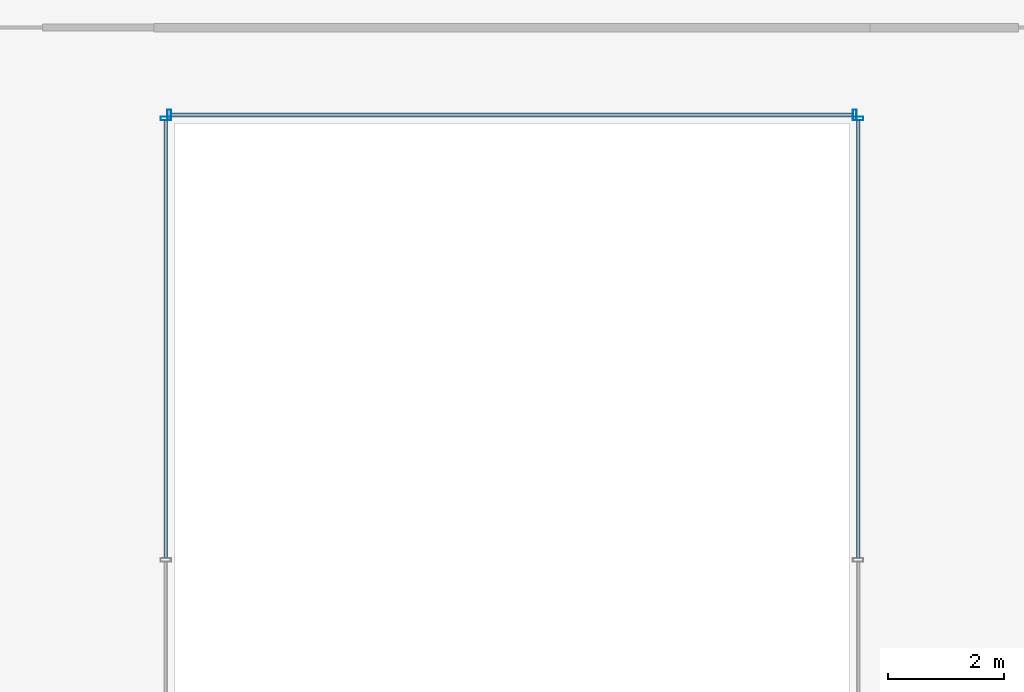
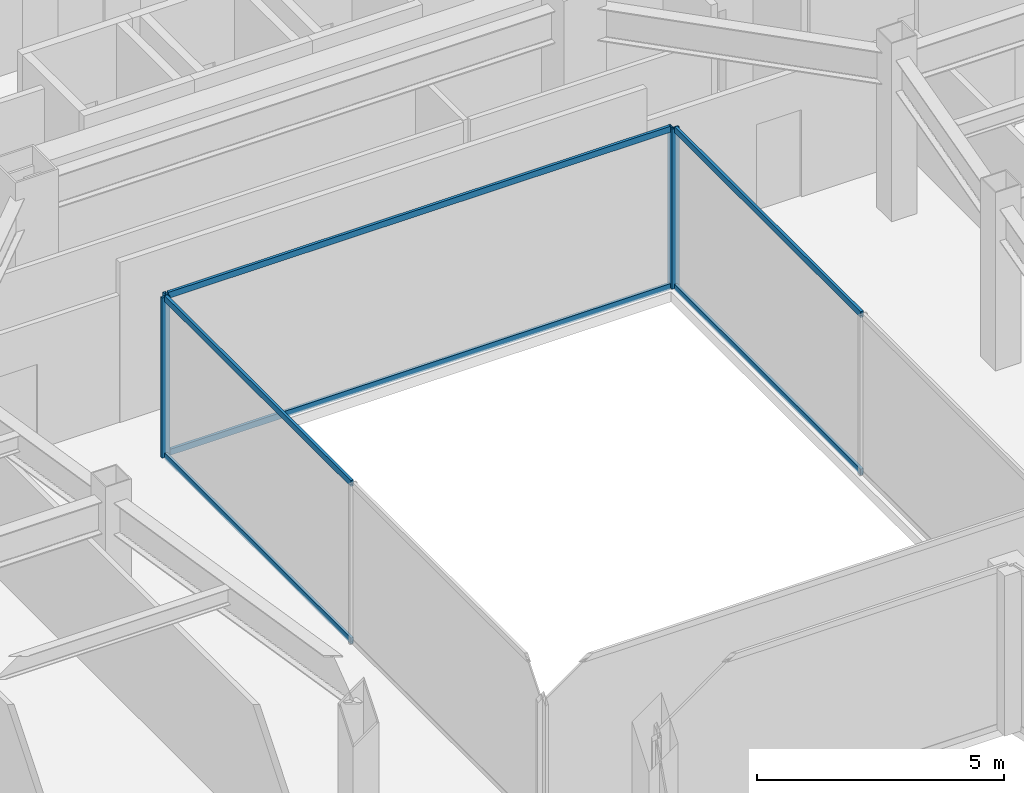
# One storey, part 12 of 36: 10 members, 3 elements without a shape of their own.
"""IFC4 building model written with IfcOpenShell, lengths in metres."""

from ifc_helpers import new_model, si_unit, direction, frame, origin, origin_2d, place, context, subcontext, project, spatial, hollow_rectangle, extrude, material, material_profile, profile_set, type_object, element, aggregate, save


model = new_model("IFC4")

# Units and contexts
model_context = context("Model", 3, precision=1e-05, world=origin(), true_north=direction((0.0, 1.0)))
body_context = subcontext(model_context, "Body", "Model", "MODEL_VIEW")
ifc_project = project(units=[si_unit("LENGTHUNIT", "METRE"), si_unit("AREAUNIT", "SQUARE_METRE"), si_unit("VOLUMEUNIT", "CUBIC_METRE"), si_unit("PLANEANGLEUNIT", "RADIAN"), si_unit("MASSUNIT", "GRAM", prefix="KILO")], contexts=[model_context])

# Site, building, storey
site_placement = place(None, origin())
site = spatial("IfcSite", under=ifc_project, at=site_placement, CompositionType="ELEMENT")
building_placement = place(site_placement, origin())
building = spatial("IfcBuilding", under=site, at=building_placement, Name="Saevonmaru Cultural Tower", CompositionType="ELEMENT")
storey_placement = place(building_placement, frame((0.0, 0.0, 119.199951171875)))
storey = spatial("IfcBuildingStorey", under=building, at=storey_placement, Name="L25", CompositionType="ELEMENT", Elevation=119.199951171875)

# Curtain wall, member
ifc_material = material(Name="Satin Bronze Anodised Aluminium", Category="aluminium")
curtain_wall_type = type_object("IfcCurtainWallType", Name="CW-ATR-GLZ", PredefinedType="NOTDEFINED", material=ifc_material)
curtain_wall_1_placement = place(storey_placement, origin())
curtain_wall_1 = element("IfcCurtainWall", 1, at=curtain_wall_1_placement, inside=storey, type_object=curtain_wall_type, Name="L25 Vertical Atrium Glazed Smoke Screen 2", PredefinedType="NOTDEFINED")
ifc_material_profile_1 = material_profile(ifc_material, hollow_rectangle(XDim=0.06494140625, YDim=0.179931640625, WallThickness=0.00390625, at=origin_2d()), Name="ALU-MULL-180x65x4")
ifc_profile_set_1 = profile_set([ifc_material_profile_1], Name="Satin Bronze Anodised Aluminium")
member_type_1 = type_object("IfcMemberType", Name="ML-CW-INT-180x65", PredefinedType="MULLION", material=ifc_profile_set_1)
member_1_placement = place(storey_placement, frame((35.949951171875, 37.489990234375, 0.0), z_axis=(0.0, 0.0, 1.0), x_axis=(0.0, 1.0, 0.0)))
member_1 = element("IfcMember", 2, at=member_1_placement, type_object=member_type_1, Name="CW-ATR-L25-2 mullion 3", PredefinedType="MULLION", context=body_context, shape_type="SweptSolid", body=[
    extrude(hollow_rectangle(XDim=0.06494140625, YDim=0.179931640625, WallThickness=0.00390625, at=origin_2d()), origin(), (0.0, 0.0, 1.0), 3.949951171875),
])

# Curtain wall, members
curtain_wall_2_placement = place(storey_placement, origin())
curtain_wall_2 = element("IfcCurtainWall", 3, at=curtain_wall_2_placement, inside=storey, type_object=curtain_wall_type, Name="L25 Vertical Atrium Glazed Smoke Screen 3", PredefinedType="NOTDEFINED")
member_2_placement = place(storey_placement, frame((35.889892578125, 37.550048828125, 0.0), z_axis=(0.0, 0.0, 1.0), x_axis=(-1.0, 0.0, 0.0)))
member_2 = element("IfcMember", 4, at=member_2_placement, type_object=member_type_1, Name="CW-ATR-L25-3 mullion 1", PredefinedType="MULLION", context=body_context, shape_type="SweptSolid", body=[
    extrude(hollow_rectangle(XDim=0.06494140625, YDim=0.179931640625, WallThickness=0.00390625, at=origin_2d()), origin(), (0.0, 0.0, 1.0), 3.949951171875),
])
member_3_placement = place(storey_placement, frame((24.110107421875, 37.550048828125, 0.0), z_axis=(0.0, 0.0, 1.0), x_axis=(-1.0, 0.0, 0.0)))
member_3 = element("IfcMember", 5, at=member_3_placement, type_object=member_type_1, Name="CW-ATR-L25-3 mullion 2", PredefinedType="MULLION", context=body_context, shape_type="SweptSolid", body=[
    extrude(hollow_rectangle(XDim=0.06494140625, YDim=0.179931640625, WallThickness=0.00390625, at=origin_2d()), origin(), (0.0, 0.0, 1.0), 3.949951171875),
])

# Curtain wall, member
curtain_wall_3_placement = place(storey_placement, origin())
curtain_wall_3 = element("IfcCurtainWall", 6, at=curtain_wall_3_placement, inside=storey, type_object=curtain_wall_type, Name="L25 Vertical Atrium Glazed Smoke Screen 4", PredefinedType="NOTDEFINED")
member_4_placement = place(storey_placement, frame((24.050048828125, 37.489990234375, 0.0), z_axis=(0.0, 0.0, 1.0), x_axis=(0.0, -1.0, 0.0)))
member_4 = element("IfcMember", 7, at=member_4_placement, type_object=member_type_1, Name="CW-ATR-L25-4 mullion 1", PredefinedType="MULLION", context=body_context, shape_type="SweptSolid", body=[
    extrude(hollow_rectangle(XDim=0.06494140625, YDim=0.179931640625, WallThickness=0.00390625, at=origin_2d()), origin(), (0.0, 0.0, 1.0), 3.949951171875),
])

# Member
ifc_material_profile_2 = material_profile(ifc_material, hollow_rectangle(XDim=0.06494140625, YDim=0.14990234375, WallThickness=0.00390625, at=origin_2d()), Name="ALU-TRAN-150x65x4")
ifc_profile_set_2 = profile_set([ifc_material_profile_2], Name="Satin Bronze Anodised Aluminium")
member_type_2 = type_object("IfcMemberType", Name="TR-CW-INT-150x65", PredefinedType="USERDEFINED", material=ifc_profile_set_2)
member_5_placement = place(storey_placement, frame((35.949951171875, 29.9326171875, 0.032470703125), z_axis=(0.0, 1.0, 0.0), x_axis=(-1.0, 0.0, 0.0)))
member_5 = element("IfcMember", 8, at=member_5_placement, type_object=member_type_2, Name="CW-ATR-L25-2 transom 2.1", ObjectType="TRANSOM", PredefinedType="USERDEFINED", context=body_context, shape_type="SweptSolid", body=[
    extrude(hollow_rectangle(XDim=0.06494140625, YDim=0.14990234375, WallThickness=0.00390625, at=origin_2d()), origin(), (0.0, 0.0, 1.0), 7.52490234375),
])

member_6_placement = place(storey_placement, frame((35.949951171875, 29.9326171875, 3.91748046875), z_axis=(0.0, 1.0, 0.0), x_axis=(-1.0, 0.0, 0.0)))
member_6 = element("IfcMember", 9, at=member_6_placement, type_object=member_type_2, Name="CW-ATR-L25-2 transom 2.2", ObjectType="TRANSOM", PredefinedType="USERDEFINED", context=body_context, shape_type="SweptSolid", body=[
    extrude(hollow_rectangle(XDim=0.06494140625, YDim=0.14990234375, WallThickness=0.00390625, at=origin_2d()), origin(), (0.0, 0.0, 1.0), 7.52490234375),
])

aggregate(curtain_wall_1, [member_1, member_5, member_6])

member_7_placement = place(storey_placement, frame((35.857421875, 37.550048828125, 0.032470703125), z_axis=(-1.0, 0.0, 0.0), x_axis=(0.0, -1.0, 0.0)))
member_7 = element("IfcMember", 10, at=member_7_placement, type_object=member_type_2, Name="CW-ATR-L25-3 transom 1.1", ObjectType="TRANSOM", PredefinedType="USERDEFINED", context=body_context, shape_type="SweptSolid", body=[
    extrude(hollow_rectangle(XDim=0.06494140625, YDim=0.14990234375, WallThickness=0.00390625, at=origin_2d()), origin(), (0.0, 0.0, 1.0), 11.71484375),
])

member_8_placement = place(storey_placement, frame((35.857421875, 37.550048828125, 3.91748046875), z_axis=(-1.0, 0.0, 0.0), x_axis=(0.0, -1.0, 0.0)))
member_8 = element("IfcMember", 11, at=member_8_placement, type_object=member_type_2, Name="CW-ATR-L25-3 transom 1.2", ObjectType="TRANSOM", PredefinedType="USERDEFINED", context=body_context, shape_type="SweptSolid", body=[
    extrude(hollow_rectangle(XDim=0.06494140625, YDim=0.14990234375, WallThickness=0.00390625, at=origin_2d()), origin(), (0.0, 0.0, 1.0), 11.71484375),
])

aggregate(curtain_wall_2, [member_2, member_3, member_7, member_8])

member_9_placement = place(storey_placement, frame((24.050048828125, 37.45751953125, 0.032470703125), z_axis=(0.0, -1.0, 0.0), x_axis=(1.0, 0.0, 0.0)))
member_9 = element("IfcMember", 12, at=member_9_placement, type_object=member_type_2, Name="CW-ATR-L25-4 transom 1.1", ObjectType="TRANSOM", PredefinedType="USERDEFINED", context=body_context, shape_type="SweptSolid", body=[
    extrude(hollow_rectangle(XDim=0.06494140625, YDim=0.14990234375, WallThickness=0.00390625, at=origin_2d()), origin(), (0.0, 0.0, 1.0), 7.52490234375),
])

member_10_placement = place(storey_placement, frame((24.050048828125, 37.45751953125, 3.91748046875), z_axis=(0.0, -1.0, 0.0), x_axis=(1.0, 0.0, 0.0)))
member_10 = element("IfcMember", 13, at=member_10_placement, type_object=member_type_2, Name="CW-ATR-L25-4 transom 1.2", ObjectType="TRANSOM", PredefinedType="USERDEFINED", context=body_context, shape_type="SweptSolid", body=[
    extrude(hollow_rectangle(XDim=0.06494140625, YDim=0.14990234375, WallThickness=0.00390625, at=origin_2d()), origin(), (0.0, 0.0, 1.0), 7.52490234375),
])

aggregate(curtain_wall_3, [member_4, member_9, member_10])

save(model, "model.ifc")
